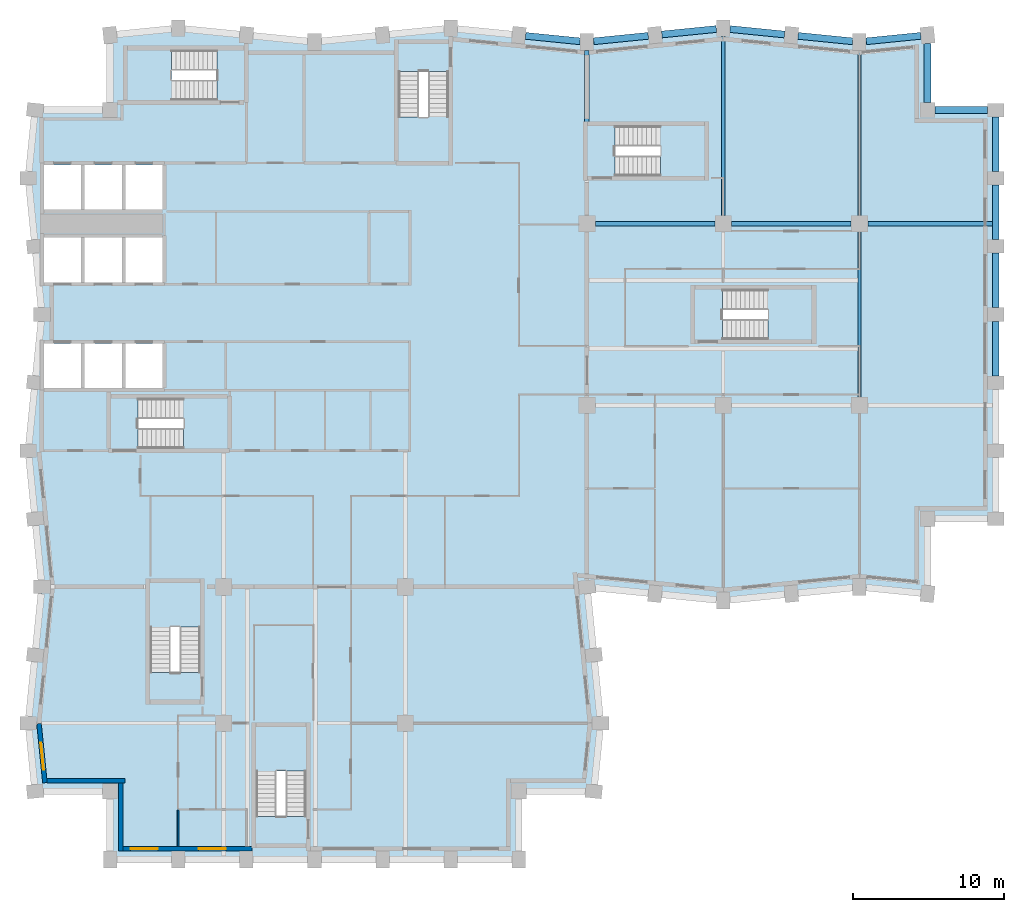
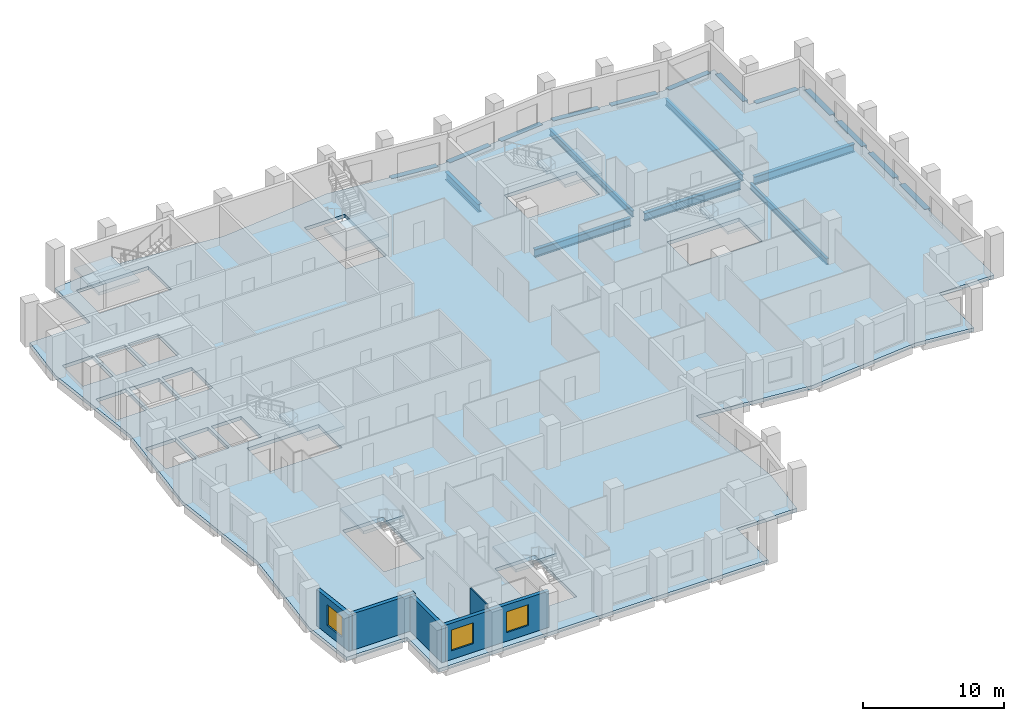
# One storey, part 2 of 10: 19 beams, 8 slabs, 5 walls, 3 windows, 3 openings, 7 elements without a shape of their own.
"""IFC4 building model written with IfcOpenShell, lengths in metres."""

import ifcopenshell
import ifcopenshell.guid

model = None  # the IFC model being written
_history = None  # IfcOwnerHistory: only IFC2X3 demands one
_inside = {}  # id of a spatial element -> (the spatial element, [elements in it])
_under = {}  # id of a project, library or spatial element -> (it, [spatial elements below it])
_declared = {}  # id of a project -> (the project, [libraries it declares])
_typed = {}  # id of a type object -> (the type object, [elements of that type])
_made_of = {}  # id of a material, layer set ... -> (it, [elements and type objects made of it])


def new_model(schema):
    """Start an empty IFC model of exactly this schema.

    Asked for "IFC4X3", IfcOpenShell would pick the latest addendum, in which some entities
    have other attributes; the version numbers below select the first issue.
    IFC2X3 requires an IfcOwnerHistory on every rooted entity: one is made here for all.
    """
    global model, _history
    if schema == "IFC4X3":
        model = ifcopenshell.file(schema_version=(4, 3, 0, 0))
    else:
        model = ifcopenshell.file(schema=schema)
    _inside.clear()
    _under.clear()
    _declared.clear()
    _typed.clear()
    _made_of.clear()
    _history = None
    if model.schema == "IFC2X3":
        org = make("IfcOrganization", Name="unknown")
        user = make(
            "IfcPersonAndOrganization",
            ThePerson=make("IfcPerson", FamilyName="unknown"),
            TheOrganization=org,
        )
        app = make(
            "IfcApplication",
            ApplicationDeveloper=org,
            Version="unknown",
            ApplicationFullName="unknown",
            ApplicationIdentifier="unknown",
        )
        _history = make(
            "IfcOwnerHistory",
            OwningUser=user,
            OwningApplication=app,
            ChangeAction="ADDED",
            CreationDate=0,
        )
    return model


def make(cls, **values):
    """One entity of the class cls with the attributes given. An attribute that is None is left unset."""
    return model.create_entity(
        cls, **{name: value for name, value in values.items() if value is not None}
    )


def rooted(cls, **values):
    """An entity with a GlobalId (a new one), such as an element, a storey or a relation."""
    return make(cls, GlobalId=ifcopenshell.guid.new(), OwnerHistory=_history, **values)


def si_unit(unit_type, name, prefix=None):
    """IfcSIUnit, for example si_unit("LENGTHUNIT", "METRE", prefix="MILLI")."""
    return make("IfcSIUnit", UnitType=unit_type, Prefix=prefix, Name=name)


def assignment(units):
    """IfcUnitAssignment: the units of a project."""
    return None if units is None else make("IfcUnitAssignment", Units=units)


def point(xyz):
    """IfcCartesianPoint."""
    return None if xyz is None else make("IfcCartesianPoint", Coordinates=xyz)


def direction(xyz):
    """IfcDirection."""
    return None if xyz is None else make("IfcDirection", DirectionRatios=xyz)


def frame(location, z_axis=None, x_axis=None):
    """IfcAxis2Placement3D, a coordinate frame: its origin and axes. An axis left out is left unset."""
    return make(
        "IfcAxis2Placement3D",
        Location=point(location),
        Axis=direction(z_axis),
        RefDirection=direction(x_axis),
    )


def frame_2d(location, x_axis=None):
    """IfcAxis2Placement2D, a coordinate frame in the plane: its origin and x axis."""
    return make(
        "IfcAxis2Placement2D", Location=point(location), RefDirection=direction(x_axis)
    )


def origin():
    """The frame at (0, 0, 0) with its axes left unset."""
    return frame((0.0, 0.0, 0.0))


def origin_2d():
    """The frame at (0, 0) in the plane with its x axis left unset."""
    return frame_2d((0.0, 0.0))


def place(relative_to, where):
    """IfcLocalPlacement: puts the frame where relative to a parent placement (None: the world)."""
    return make(
        "IfcLocalPlacement", PlacementRelTo=relative_to, RelativePlacement=where
    )


def context(
    kind, dimensions, precision=None, world=None, true_north=None, identifier=None
):
    """IfcGeometricRepresentationContext, for example the 3D "Model" context."""
    return make(
        "IfcGeometricRepresentationContext",
        ContextIdentifier=identifier,
        ContextType=kind,
        CoordinateSpaceDimension=dimensions,
        Precision=precision,
        WorldCoordinateSystem=world,
        TrueNorth=true_north,
    )


def subcontext(parent, identifier, kind, view, scale=None):
    """IfcGeometricRepresentationSubContext, for example "Body" below "Model"."""
    return make(
        "IfcGeometricRepresentationSubContext",
        ContextIdentifier=identifier,
        ContextType=kind,
        ParentContext=parent,
        TargetScale=scale,
        TargetView=view,
    )


def project(units=None, contexts=None):
    """IfcProject with its units and contexts."""
    return rooted(
        "IfcProject",
        Name="project",
        RepresentationContexts=contexts,
        UnitsInContext=assignment(units),
    )


def spatial(cls, under=None, at=None, **own):
    """A site, building, storey or space (cls), placed at a placement, below another one or the project."""
    s = rooted(cls, ObjectPlacement=at, **own)
    if under is not None:
        _under.setdefault(under.id(), (under, []))[1].append(s)
    return s


def polyline(points):
    """IfcPolyline through the points."""
    return make("IfcPolyline", Points=[point(p) for p in points])


def profile(cls, at=None, kind="AREA", **sizes):
    """A parametric profile (cls). Its sizes go by their IFC names, for example OverallWidth=200.0."""
    return make(cls, ProfileType=kind, Position=at, **sizes)


def rectangle(**sizes):
    """IfcRectangleProfileDef."""
    return profile("IfcRectangleProfileDef", **sizes)


def i_section(**sizes):
    """IfcIShapeProfileDef."""
    return profile("IfcIShapeProfileDef", **sizes)


def outline(outer, holes=None, kind="AREA"):
    """IfcArbitraryClosedProfileDef: a profile drawn as a closed curve; with holes, ...WithVoids."""
    if holes is None:
        return make("IfcArbitraryClosedProfileDef", ProfileType=kind, OuterCurve=outer)
    return make(
        "IfcArbitraryProfileDefWithVoids",
        ProfileType=kind,
        OuterCurve=outer,
        InnerCurves=holes,
    )


def extrude(swept, where, along, depth):
    """IfcExtrudedAreaSolid: the profile swept, set in the frame where, extruded along a direction by depth."""
    return make(
        "IfcExtrudedAreaSolid",
        SweptArea=swept,
        Position=where,
        ExtrudedDirection=direction(along),
        Depth=depth,
    )


def shape(context_of_items, identifier, shape_type, items):
    """IfcShapeRepresentation: the items that make up one representation, for example the "Body"."""
    return make(
        "IfcShapeRepresentation",
        ContextOfItems=context_of_items,
        RepresentationIdentifier=identifier,
        RepresentationType=shape_type,
        Items=items,
    )


def material(Name=None, Category=None):
    """IfcMaterial."""
    return make("IfcMaterial", Name=Name, Category=Category)


def layer(
    of_material, thickness, ventilated=None, Name=None, Category=None, Priority=None
):
    """IfcMaterialLayer: one layer of a wall or slab, of a material (None: an air gap)."""
    return make(
        "IfcMaterialLayer",
        Material=of_material,
        LayerThickness=thickness,
        IsVentilated=ventilated,
        Name=Name,
        Category=Category,
        Priority=Priority,
    )


def layer_set(layers, Name=None):
    """IfcMaterialLayerSet."""
    return make("IfcMaterialLayerSet", MaterialLayers=layers, LayerSetName=Name)


def material_profile(
    of_material, cross_section, Name=None, Category=None, Priority=None
):
    """IfcMaterialProfile: a cross section and its material."""
    return make(
        "IfcMaterialProfile",
        Name=Name,
        Material=of_material,
        Profile=cross_section,
        Priority=Priority,
        Category=Category,
    )


def profile_set(profiles, Name=None, composite=None):
    """IfcMaterialProfileSet."""
    return make(
        "IfcMaterialProfileSet",
        Name=Name,
        MaterialProfiles=profiles,
        CompositeProfile=composite,
    )


def made_of(thing, what):
    """Note that an element or type object is made of a material, layer set ...; save() writes the relation."""
    if what is not None:
        _made_of.setdefault(what.id(), (what, []))[1].append(thing)
    return thing


def type_object(cls, material=None, **own):
    """A type object (cls), such as IfcWallType, which elements share."""
    return made_of(rooted(cls, **own), material)


def element(
    cls,
    number,
    at=None,
    inside=None,
    cuts=None,
    type_object=None,
    material=None,
    context=None,
    identifier="Body",
    shape_type=None,
    held_by="IfcProductDefinitionShape",
    body=None,
    shapes=None,
    **own,
):
    """One element of the class cls, such as IfcWall. Its Tag is "e" and its number.

    at: its placement. inside: the storey or other place that contains it. cuts: it is an
    opening in that element (IfcRelVoidsElement). A single representation is given by context,
    identifier, shape_type and body (its items); several are given by shapes. held_by: the class
    of the entity that holds the representations. save() writes the other relations.
    """
    e = rooted(cls, Tag="e%d" % number, ObjectPlacement=at, **own)
    if body is not None:
        shapes = [shape(context, identifier, shape_type, body)]
    if shapes is not None:
        e.Representation = make(held_by, Representations=shapes)
    if inside is not None:
        _inside.setdefault(inside.id(), (inside, []))[1].append(e)
    if cuts is not None:
        rooted(
            "IfcRelVoidsElement", RelatingBuildingElement=cuts, RelatedOpeningElement=e
        )
    if type_object is not None:
        _typed.setdefault(type_object.id(), (type_object, []))[1].append(e)
    return made_of(e, material)


def fill(opening, filler):
    """IfcRelFillsElement: the door or window that sits in an opening."""
    return rooted(
        "IfcRelFillsElement",
        RelatingOpeningElement=opening,
        RelatedBuildingElement=filler,
    )


def aggregate(whole, parts):
    """IfcRelAggregates: a whole, such as a stair, and the parts it consists of."""
    return rooted("IfcRelAggregates", RelatingObject=whole, RelatedObjects=parts)


def save(model, path):
    """Write the relations noted so far, then the file.

    IfcRelAggregates (storeys below a building ...), IfcRelContainedInSpatialStructure (elements
    in a storey), IfcRelDefinesByType, IfcRelAssociatesMaterial and IfcRelDeclares: one each for
    every whole, place, type object, material and project.
    """
    for whole, parts in _under.values():
        aggregate(whole, parts)
    for where, things in _inside.values():
        rooted(
            "IfcRelContainedInSpatialStructure",
            RelatedElements=things,
            RelatingStructure=where,
        )
    for kind, things in _typed.values():
        rooted("IfcRelDefinesByType", RelatedObjects=things, RelatingType=kind)
    for what, things in _made_of.values():
        rooted("IfcRelAssociatesMaterial", RelatedObjects=things, RelatingMaterial=what)
    for by, libraries in _declared.values():
        rooted("IfcRelDeclares", RelatingContext=by, RelatedDefinitions=libraries)
    model.write(path)


model = new_model("IFC4")

# Units and contexts
model_context = context("Model", 3, precision=1e-05, world=origin(), true_north=direction((0.0, 1.0)))
body_context = subcontext(model_context, "Body", "Model", "MODEL_VIEW")
ifc_project = project(units=[si_unit("LENGTHUNIT", "METRE"), si_unit("AREAUNIT", "SQUARE_METRE"), si_unit("VOLUMEUNIT", "CUBIC_METRE"), si_unit("PLANEANGLEUNIT", "RADIAN"), si_unit("MASSUNIT", "GRAM", prefix="KILO")], contexts=[model_context])

# Site, building, storey
site_placement = place(None, origin())
site = spatial("IfcSite", under=ifc_project, at=site_placement, CompositionType="ELEMENT")
building_placement = place(site_placement, origin())
building = spatial("IfcBuilding", under=site, at=building_placement, Name="Brondeck Convention Tower", CompositionType="ELEMENT")
storey_placement = place(building_placement, frame((0.0, 0.0, 166.199951171875)))
storey = spatial("IfcBuildingStorey", under=building, at=storey_placement, Name="L40", CompositionType="ELEMENT", Elevation=166.199951171875)

# Beams
ifc_material_1 = material(Name="Steel S355", Category="steel")
ifc_material_profile_1 = material_profile(ifc_material_1, i_section(OverallWidth=0.2099609375, OverallDepth=0.550048828125, WebThickness=0.010986328125, FlangeThickness=0.01708984375, FilletRadius=0.02392578125, at=origin_2d()), Name="IPE 550")
ifc_profile_set_1 = profile_set([ifc_material_profile_1], Name="Steel S355")
beam_type_1 = type_object("IfcBeamType", Name="Floor beam IPE 550", PredefinedType="BEAM", material=ifc_profile_set_1)
beam_1_placement = place(storey_placement, frame((45.0, 51.550048828125, -0.574951171875), z_axis=(0.0, 1.0, 0.0), x_axis=(-1.0, 0.0, 0.0)))
element("IfcBeam", 1, at=beam_1_placement, inside=storey, type_object=beam_type_1, Name="STR-FB-L40-002", PredefinedType="BEAM", context=body_context, shape_type="SweptSolid", body=[
    extrude(i_section(OverallWidth=0.2099609375, OverallDepth=0.550048828125, WebThickness=0.010986328125, FlangeThickness=0.01708984375, FilletRadius=0.02392578125, at=origin_2d()), origin(), (0.0, 0.0, 1.0), 11.800048828125),
])
for number, where, z_axis, x_axis, name in (
    (2, (54.0, 39.550048828125, -0.574951171875), (0.0, 1.0, 0.0), (-1.0, 0.0, 0.0), "STR-FB-L40-004"),
    (3, (54.0, 51.550048828125, -0.574951171875), (0.0, 1.0, 0.0), (-1.0, 0.0, 0.0), "STR-FB-L40-005"),
):
    element("IfcBeam", number, at=place(storey_placement, frame(where, z_axis=z_axis, x_axis=x_axis)), inside=storey, type_object=beam_type_1, Name=name, PredefinedType="BEAM", context=body_context, shape_type="SweptSolid", body=[
        extrude(i_section(OverallWidth=0.2099609375, OverallDepth=0.550048828125, WebThickness=0.010986328125, FlangeThickness=0.01708984375, FilletRadius=0.02392578125, at=origin_2d()), origin(), (0.0, 0.0, 1.0), 10.89990234375),
    ])
ifc_material_profile_2 = material_profile(ifc_material_1, i_section(OverallWidth=0.300048828125, OverallDepth=0.699951171875, WebThickness=0.01708984375, FlangeThickness=0.031982421875, FilletRadius=0.027099609375, at=origin_2d()), Name="HEB 700")
ifc_profile_set_2 = profile_set([ifc_material_profile_2], Name="Steel S355")
beam_type_2 = type_object("IfcBeamType", Name="Girder HEB 700", PredefinedType="BEAM", material=ifc_profile_set_2)
for number, where, z_axis, x_axis, name in (
    (4, (36.550048828125, 51.0, -0.64990234375), (1.0, 0.0, 0.0), (0.0, 1.0, 0.0), "STR-GR-L40-004"),
    (5, (45.550048828125, 51.0, -0.64990234375), (1.0, 0.0, 0.0), (0.0, 1.0, 0.0), "STR-GR-L40-005"),
):
    element("IfcBeam", number, at=place(storey_placement, frame(where, z_axis=z_axis, x_axis=x_axis)), inside=storey, type_object=beam_type_2, Name=name, PredefinedType="BEAM", context=body_context, shape_type="SweptSolid", body=[
        extrude(i_section(OverallWidth=0.300048828125, OverallDepth=0.699951171875, WebThickness=0.01708984375, FlangeThickness=0.031982421875, FilletRadius=0.027099609375, at=origin_2d()), origin(), (0.0, 0.0, 1.0), 7.89990234375),
    ])
beam_2_placement = place(storey_placement, frame((54.550048828125, 51.0, -0.64990234375), z_axis=(1.0, 0.0, 0.0), x_axis=(0.0, 1.0, 0.0)))
element("IfcBeam", 6, at=beam_2_placement, inside=storey, type_object=beam_type_2, Name="STR-GR-L40-006", PredefinedType="BEAM", context=body_context, shape_type="SweptSolid", body=[
    extrude(i_section(OverallWidth=0.300048828125, OverallDepth=0.699951171875, WebThickness=0.01708984375, FlangeThickness=0.031982421875, FilletRadius=0.027099609375, at=origin_2d()), origin(), (0.0, 0.0, 1.0), 8.224853515625),
])
beam_3_placement = place(storey_placement, frame((36.0, 57.719970703125, -0.64990234375), z_axis=(0.0, 1.0, 0.0), x_axis=(-1.0, 0.0, 0.0)))
element("IfcBeam", 7, at=beam_3_placement, inside=storey, type_object=beam_type_2, Name="STR-GR-L40-010", PredefinedType="BEAM", context=body_context, shape_type="SweptSolid", body=[
    extrude(i_section(OverallWidth=0.300048828125, OverallDepth=0.699951171875, WebThickness=0.01708984375, FlangeThickness=0.031982421875, FilletRadius=0.027099609375, at=origin_2d()), origin(), (0.0, 0.0, 1.0), 4.72998046875),
])
ifc_material_2 = material(Name="Concrete C70/85", Category="concrete")
ifc_material_profile_3 = material_profile(ifc_material_2, rectangle(XDim=0.449951171875, YDim=0.64990234375, at=origin_2d()), Name="Precast spandrel 450x650 Concrete C70/85")
ifc_profile_set_3 = profile_set([ifc_material_profile_3], Name="Concrete C70/85")
beam_type_3 = type_object("IfcBeamType", Name="Precast spandrel 450x650 Concrete C70/85", PredefinedType="SPANDREL", material=ifc_profile_set_3)
for number, where, z_axis, x_axis, name in (
    (8, (63.0, 40.949951171875, -0.324951171875), (0.0, 1.0, 0.0), (-1.0, 0.0, 0.0), "STR-SP-L40-021"),
    (9, (63.0, 45.449951171875, -0.324951171875), (0.0, 1.0, 0.0), (-1.0, 0.0, 0.0), "STR-SP-L40-022"),
    (10, (63.0, 49.949951171875, -0.324951171875), (0.0, 1.0, 0.0), (-1.0, 0.0, 0.0), "STR-SP-L40-023"),
    (11, (63.0, 54.449951171875, -0.324951171875), (0.0, 1.0, 0.0), (-1.0, 0.0, 0.0), "STR-SP-L40-024"),
):
    element("IfcBeam", number, at=place(storey_placement, frame(where, z_axis=z_axis, x_axis=x_axis)), inside=storey, type_object=beam_type_3, Name=name, PredefinedType="SPANDREL", context=body_context, shape_type="SweptSolid", body=[
        extrude(rectangle(XDim=0.449951171875, YDim=0.64990234375, at=origin_2d()), origin(), (0.0, 0.0, 1.0), 3.60009765625),
    ])
beam_4_placement = place(storey_placement, frame((62.449951171875, 58.5, -0.324951171875), z_axis=(-1.0, 0.0, 0.0), x_axis=(0.0, -1.0, 0.0)))
element("IfcBeam", 12, at=beam_4_placement, inside=storey, type_object=beam_type_3, Name="STR-SP-L40-025", PredefinedType="SPANDREL", context=body_context, shape_type="SweptSolid", body=[
    extrude(rectangle(XDim=0.449951171875, YDim=0.64990234375, at=origin_2d()), origin(), (0.0, 0.0, 1.0), 3.449951171875),
])
beam_5_placement = place(storey_placement, frame((58.5, 59.0, -0.324951171875), z_axis=(0.0, 1.0, 0.0), x_axis=(-1.0, 0.0, 0.0)))
element("IfcBeam", 13, at=beam_5_placement, inside=storey, type_object=beam_type_3, Name="STR-SP-L40-026", PredefinedType="SPANDREL", context=body_context, shape_type="SweptSolid", body=[
    extrude(rectangle(XDim=0.449951171875, YDim=0.64990234375, at=origin_2d()), origin(), (0.0, 0.0, 1.0), 3.897216796875),
])
for number, where, z_axis, x_axis, name in (
    (14, (58.05224609375, 63.4052734375, -0.324951171875), (-0.995033851182, -0.099537103649, 0.0), (0.099537103649, -0.995033851182, 0.0), "STR-SP-L40-027"),
    (15, (53.550048828125, 63.044921875, -0.324951171875), (-0.995033851182, 0.099537103649, 0.0), (-0.099537103649, -0.995033851182, 0.0), "STR-SP-L40-028"),
    (16, (49.05224609375, 63.494873046875, -0.324951171875), (-0.995040528141, 0.099470334057, 0.0), (-0.099470334057, -0.995040528141, 0.0), "STR-SP-L40-029"),
    (17, (44.550048828125, 63.85498046875, -0.324951171875), (-0.995040528141, -0.099470334057, 0.0), (0.099470334057, -0.995040528141, 0.0), "STR-SP-L40-030"),
    (18, (40.05224609375, 63.4052734375, -0.324951171875), (-0.995033851182, -0.099537103649, 0.0), (0.099537103649, -0.995033851182, 0.0), "STR-SP-L40-031"),
    (19, (35.550048828125, 63.044921875, -0.324951171875), (-0.995033851182, 0.099537103649, 0.0), (-0.099537103649, -0.995033851182, 0.0), "STR-SP-L40-032"),
):
    element("IfcBeam", number, at=place(storey_placement, frame(where, z_axis=z_axis, x_axis=x_axis)), inside=storey, type_object=beam_type_3, Name=name, PredefinedType="SPANDREL", context=body_context, shape_type="SweptSolid", body=[
        extrude(rectangle(XDim=0.449951171875, YDim=0.64990234375, at=origin_2d()), origin(), (0.0, 0.0, 1.0), 3.620361328125),
    ])

# Slab
ifc_material_3 = material(Name="Concrete C35/45", Category="concrete")
ifc_layer_1 = layer(ifc_material_3, 0.300048828125)
ifc_layer_set_1 = layer_set([ifc_layer_1], Name="Composite floor slab 300")
slab_type_1 = type_object("IfcSlabType", Name="Composite floor slab 300", PredefinedType="FLOOR", material=ifc_layer_set_1)
slab_1_placement = place(storey_placement, frame((0.0, 0.0, -0.300048828125)))
element("IfcSlab", 20, at=slab_1_placement, inside=storey, type_object=slab_type_1, Name="STR-SL-L40", PredefinedType="FLOOR", context=body_context, shape_type="SweptSolid", body=[
    extrude(outline(polyline([(4.5, 13.5), (-0.449951171875, 13.5), (-0.89990234375, 18.0), (0.0, 27.0), (-0.89990234375, 36.0), (0.0, 45.0), (-0.89990234375, 54.0), (-0.449951171875, 58.5), (4.5, 58.5), (4.5, 63.449951171875), (9.0, 63.89990234375), (18.0, 63.0), (27.0, 63.89990234375), (36.0, 63.0), (45.0, 63.89990234375), (54.0, 63.0), (58.5, 63.449951171875), (58.5, 58.5), (63.0, 58.5), (63.0, 31.5), (58.5, 31.5), (58.5, 26.550048828125), (54.0, 27.0), (45.0, 26.10009765625), (36.0, 27.0), (36.89990234375, 18.0), (36.449951171875, 13.5), (31.5, 13.5), (31.5, 9.0), (4.5, 9.0), (4.5, 13.5)]), holes=[polyline([(2.574951171875, 40.125), (2.574951171875, 43.074951171875), (0.125, 43.074951171875), (0.125, 40.125), (2.574951171875, 40.125)]), polyline([(5.27490234375, 40.125), (5.27490234375, 43.074951171875), (2.824951171875, 43.074951171875), (2.824951171875, 40.125), (5.27490234375, 40.125)]), polyline([(7.97509765625, 40.125), (7.97509765625, 43.074951171875), (5.52490234375, 43.074951171875), (5.52490234375, 40.125), (7.97509765625, 40.125)]), polyline([(2.574951171875, 47.125), (2.574951171875, 50.074951171875), (0.125, 50.074951171875), (0.125, 47.125), (2.574951171875, 47.125)]), polyline([(5.27490234375, 47.125), (5.27490234375, 50.074951171875), (2.824951171875, 50.074951171875), (2.824951171875, 47.125), (5.27490234375, 47.125)]), polyline([(7.97509765625, 47.125), (7.97509765625, 50.074951171875), (5.52490234375, 50.074951171875), (5.52490234375, 47.125), (7.97509765625, 47.125)]), polyline([(2.574951171875, 51.925048828125), (2.574951171875, 54.875), (0.125, 54.875), (0.125, 51.925048828125), (2.574951171875, 51.925048828125)]), polyline([(5.27490234375, 51.925048828125), (5.27490234375, 54.875), (2.824951171875, 54.875), (2.824951171875, 51.925048828125), (5.27490234375, 51.925048828125)]), polyline([(17.447998046875, 17.748046875), (14.152099609375, 17.748046875), (14.152099609375, 11.85205078125), (17.447998046875, 11.85205078125), (17.447998046875, 17.748046875)]), polyline([(10.447998046875, 27.248046875), (7.152099609375, 27.248046875), (7.152099609375, 21.35205078125), (10.447998046875, 21.35205078125), (10.447998046875, 27.248046875)]), polyline([(12.248046875, 36.152099609375), (12.248046875, 39.447998046875), (6.35205078125, 39.447998046875), (6.35205078125, 36.152099609375), (12.248046875, 36.152099609375)]), polyline([(50.847900390625, 43.35205078125), (50.847900390625, 46.64794921875), (44.951904296875, 46.64794921875), (44.951904296875, 43.35205078125), (50.847900390625, 43.35205078125)]), polyline([(7.97509765625, 51.925048828125), (7.97509765625, 54.875), (5.52490234375, 54.875), (5.52490234375, 51.925048828125), (7.97509765625, 51.925048828125)]), polyline([(43.748046875, 54.152099609375), (43.748046875, 57.447998046875), (37.85205078125, 57.447998046875), (37.85205078125, 54.152099609375), (43.748046875, 54.152099609375)]), polyline([(23.552001953125, 55.152099609375), (26.847900390625, 55.152099609375), (26.847900390625, 61.048095703125), (23.552001953125, 61.048095703125), (23.552001953125, 55.152099609375)]), polyline([(5.652099609375, 62.447998046875), (5.652099609375, 59.152099609375), (11.548095703125, 59.152099609375), (11.548095703125, 62.447998046875), (5.652099609375, 62.447998046875)])]), origin(), (0.0, 0.0, 1.0), 0.300048828125),
])

# Stair, slab
ifc_material_4 = material(Name="Precast concrete C50/60", Category="concrete")
stair_type = type_object("IfcStairType", Name="Core stair 22 risers 172.73 mm riser 300 mm going 1350 wide", PredefinedType="HALF_TURN_STAIR", material=ifc_material_4)
stair_1_placement = place(storey_placement, origin())
stair_1 = element("IfcStair", 21, at=stair_1_placement, inside=storey, type_object=stair_type, Name="ST-1 L40 stair", PredefinedType="HALF_TURN_STAIR")
ifc_layer_2 = layer(ifc_material_4, 0.25)
ifc_layer_set_2 = layer_set([ifc_layer_2], Name="Core stair landing 250 Precast concrete C50/60")
slab_type_2 = type_object("IfcSlabType", Name="Core stair landing 250 Precast concrete C50/60", PredefinedType="LANDING", material=ifc_layer_set_2)
slab_2_placement = place(storey_placement, frame((0.0, 0.0, 1.650146484375)))
slab_2 = element("IfcSlab", 22, at=slab_2_placement, type_object=slab_type_2, Name="ST-1 landing 1", PredefinedType="LANDING", context=body_context, shape_type="SweptSolid", body=[
    extrude(outline(polyline([(9.347900390625, 37.5), (9.35009765625, 37.5), (9.35009765625, 38.10009765625), (9.050048828125, 38.10009765625), (9.050048828125, 39.570068359375), (12.3701171875, 39.570068359375), (12.3701171875, 36.030029296875), (9.347900390625, 36.030029296875), (9.347900390625, 37.5)])), origin(), (0.0, 0.0, 1.0), 0.25),
])
aggregate(stair_1, [slab_2])

stair_2_placement = place(storey_placement, origin())
stair_2 = element("IfcStair", 23, at=stair_2_placement, inside=storey, type_object=stair_type, Name="ST-2 L40 stair", PredefinedType="HALF_TURN_STAIR")
slab_3_placement = place(storey_placement, frame((0.0, 0.0, 1.650146484375)))
slab_3 = element("IfcSlab", 24, at=slab_3_placement, type_object=slab_type_2, Name="ST-2 landing 1", PredefinedType="LANDING", context=body_context, shape_type="SweptSolid", body=[
    extrude(outline(polyline([(23.429931640625, 58.052001953125), (24.89990234375, 58.052001953125), (24.89990234375, 58.050048828125), (25.5, 58.050048828125), (25.5, 58.35009765625), (26.969970703125, 58.35009765625), (26.969970703125, 55.030029296875), (23.429931640625, 55.030029296875), (23.429931640625, 58.052001953125)])), origin(), (0.0, 0.0, 1.0), 0.25),
])
aggregate(stair_2, [slab_3])

stair_3_placement = place(storey_placement, origin())
stair_3 = element("IfcStair", 25, at=stair_3_placement, inside=storey, type_object=stair_type, Name="ST-3 L40 stair", PredefinedType="HALF_TURN_STAIR")
slab_4_placement = place(storey_placement, frame((0.0, 0.0, 1.650146484375)))
slab_4 = element("IfcSlab", 26, at=slab_4_placement, type_object=slab_type_2, Name="ST-3 landing 1", PredefinedType="LANDING", context=body_context, shape_type="SweptSolid", body=[
    extrude(outline(polyline([(8.85009765625, 60.5), (8.85009765625, 59.030029296875), (5.530029296875, 59.030029296875), (5.530029296875, 62.570068359375), (8.552001953125, 62.570068359375), (8.552001953125, 61.10009765625), (8.550048828125, 61.10009765625), (8.550048828125, 60.5), (8.85009765625, 60.5)])), origin(), (0.0, 0.0, 1.0), 0.25),
])
aggregate(stair_3, [slab_4])

stair_4_placement = place(storey_placement, origin())
stair_4 = element("IfcStair", 27, at=stair_4_placement, inside=storey, type_object=stair_type, Name="ST-AE L40 stair", PredefinedType="HALF_TURN_STAIR")
slab_5_placement = place(storey_placement, frame((0.0, 0.0, 1.650146484375)))
slab_5 = element("IfcSlab", 28, at=slab_5_placement, type_object=slab_type_2, Name="ST-AE landing 1", PredefinedType="LANDING", context=body_context, shape_type="SweptSolid", body=[
    extrude(outline(polyline([(40.847900390625, 55.5), (40.85009765625, 55.5), (40.85009765625, 56.10009765625), (40.550048828125, 56.10009765625), (40.550048828125, 57.570068359375), (43.8701171875, 57.570068359375), (43.8701171875, 54.030029296875), (40.847900390625, 54.030029296875), (40.847900390625, 55.5)])), origin(), (0.0, 0.0, 1.0), 0.25),
])
aggregate(stair_4, [slab_5])

stair_5_placement = place(storey_placement, origin())
stair_5 = element("IfcStair", 29, at=stair_5_placement, inside=storey, type_object=stair_type, Name="ST-BE L40 stair", PredefinedType="HALF_TURN_STAIR")
slab_6_placement = place(storey_placement, frame((0.0, 0.0, 1.650146484375)))
slab_6 = element("IfcSlab", 30, at=slab_6_placement, type_object=slab_type_2, Name="ST-BE landing 1", PredefinedType="LANDING", context=body_context, shape_type="SweptSolid", body=[
    extrude(outline(polyline([(7.030029296875, 24.050048828125), (7.030029296875, 27.3701171875), (10.570068359375, 27.3701171875), (10.570068359375, 24.347900390625), (9.10009765625, 24.347900390625), (9.10009765625, 24.35009765625), (8.5, 24.35009765625), (8.5, 24.050048828125), (7.030029296875, 24.050048828125)])), origin(), (0.0, 0.0, 1.0), 0.25),
])
aggregate(stair_5, [slab_6])

stair_6_placement = place(storey_placement, origin())
stair_6 = element("IfcStair", 31, at=stair_6_placement, inside=storey, type_object=stair_type, Name="ST-AF L40 stair", PredefinedType="HALF_TURN_STAIR")
slab_7_placement = place(storey_placement, frame((0.0, 0.0, 1.650146484375)))
slab_7 = element("IfcSlab", 32, at=slab_7_placement, type_object=slab_type_2, Name="ST-AF landing 1", PredefinedType="LANDING", context=body_context, shape_type="SweptSolid", body=[
    extrude(outline(polyline([(47.947998046875, 44.699951171875), (47.949951171875, 44.699951171875), (47.949951171875, 45.300048828125), (47.64990234375, 45.300048828125), (47.64990234375, 46.77001953125), (50.969970703125, 46.77001953125), (50.969970703125, 43.22998046875), (47.947998046875, 43.22998046875), (47.947998046875, 44.699951171875)])), origin(), (0.0, 0.0, 1.0), 0.25),
])
aggregate(stair_6, [slab_7])

stair_7_placement = place(storey_placement, origin())
stair_7 = element("IfcStair", 33, at=stair_7_placement, inside=storey, type_object=stair_type, Name="ST-BF L40 stair", PredefinedType="HALF_TURN_STAIR")
slab_8_placement = place(storey_placement, frame((0.0, 0.0, 1.650146484375)))
slab_8 = element("IfcSlab", 34, at=slab_8_placement, type_object=slab_type_2, Name="ST-BF landing 1", PredefinedType="LANDING", context=body_context, shape_type="SweptSolid", body=[
    extrude(outline(polyline([(14.030029296875, 14.550048828125), (14.030029296875, 17.8701171875), (17.570068359375, 17.8701171875), (17.570068359375, 14.847900390625), (16.10009765625, 14.847900390625), (16.10009765625, 14.85009765625), (15.5, 14.85009765625), (15.5, 14.550048828125), (14.030029296875, 14.550048828125)])), origin(), (0.0, 0.0, 1.0), 0.25),
])
aggregate(stair_7, [slab_8])

# Wall, openings, windows
ifc_material_5 = material(Name="Precast concrete C50/60 bronze finish", Category="concrete")
ifc_layer_3 = layer(ifc_material_5, 0.070068359375, Name="Bronze precast facing")
ifc_material_6 = material(Name="Mineral wool")
ifc_layer_4 = layer(ifc_material_6, 0.159912109375, Name="Insulation")
ifc_layer_5 = layer(ifc_material_3, 0.070068359375, Name="Backing")
ifc_layer_set_3 = layer_set([ifc_layer_3, ifc_layer_4, ifc_layer_5], Name="External infill wall, precast concrete C50/60 bronze facing")
wall_type_1 = type_object("IfcWallType", Name="External infill wall, precast concrete C50/60 bronze facing", PredefinedType="SOLIDWALL", material=ifc_layer_set_3)
wall_1_placement = place(storey_placement, frame((13.860107421875, 9.699951171875, 0.0), z_axis=(0.0, 0.0, 1.0), x_axis=(-1.0, 0.0, 0.0)))
wall_1 = element("IfcWall", 35, at=wall_1_placement, inside=storey, type_object=wall_type_1, Name="ENV-EW-L40-P1-B-S9-01", PredefinedType="SOLIDWALL", context=body_context, shape_type="SweptSolid", body=[
    extrude(rectangle(XDim=8.510009765625, YDim=0.300048828125, at=frame_2d((4.2548828125, 0.0))), origin(), (0.0, 0.0, 1.0), 3.150146484375),
])
opening_1_placement = place(wall_1_placement, frame((1.7099609375, 0.0, 0.75)))
opening_1 = element("IfcOpeningElement", 36, at=opening_1_placement, cuts=wall_1, Name="Opening W10", PredefinedType="OPENING", context=body_context, shape_type="SweptSolid", body=[
    extrude(rectangle(XDim=1.800048828125, YDim=1.800048828125, at=frame_2d((0.89990234375, 0.89990234375))), frame((0.0, 0.159912109375, 0.0), z_axis=(0.0, -1.0, 0.0), x_axis=(1.0, 0.0, 0.0)), (0.0, 0.0, 1.0), 0.320068359375),
])
opening_2_placement = place(wall_1_placement, frame((6.2099609375, 0.0, 0.75)))
opening_2 = element("IfcOpeningElement", 37, at=opening_2_placement, cuts=wall_1, Name="Opening W10", PredefinedType="OPENING", context=body_context, shape_type="SweptSolid", body=[
    extrude(rectangle(XDim=1.800048828125, YDim=1.800048828125, at=frame_2d((0.89990234375, 0.89990234375))), frame((0.0, 0.159912109375, 0.0), z_axis=(0.0, -1.0, 0.0), x_axis=(1.0, 0.0, 0.0)), (0.0, 0.0, 1.0), 0.320068359375),
])
ifc_material_7 = material(Name="Bronze tinted double glazing", Category="glass")
window_type = type_object("IfcWindowType", Name="Punched window, bronze tinted", PartitioningType="SINGLE_PANEL", PredefinedType="WINDOW", material=ifc_material_7)
window_1_placement = place(opening_1_placement, origin())
window_1 = element("IfcWindow", 38, at=window_1_placement, inside=storey, type_object=window_type, Name="ENV-WN-L40-P1-B-S9-02", OverallHeight=1.800048828125, OverallWidth=1.800048828125, PartitioningType="SINGLE_PANEL", PredefinedType="WINDOW", context=body_context, shape_type="SweptSolid", body=[
    extrude(rectangle(XDim=1.800048828125, YDim=1.800048828125, at=frame_2d((0.89990234375, 0.89990234375))), frame((0.0, 0.030029296875, 0.0), z_axis=(0.0, -1.0, 0.0), x_axis=(1.0, 0.0, 0.0)), (0.0, 0.0, 1.0), 0.06005859375),
])
fill(opening_1, window_1)
window_2_placement = place(opening_2_placement, origin())
window_2 = element("IfcWindow", 39, at=window_2_placement, inside=storey, type_object=window_type, Name="ENV-WN-L40-P1-B-S9-01", OverallHeight=1.800048828125, OverallWidth=1.800048828125, PartitioningType="SINGLE_PANEL", PredefinedType="WINDOW", context=body_context, shape_type="SweptSolid", body=[
    extrude(rectangle(XDim=1.800048828125, YDim=1.800048828125, at=frame_2d((0.89990234375, 0.89990234375))), frame((0.0, 0.030029296875, 0.0), z_axis=(0.0, -1.0, 0.0), x_axis=(1.0, 0.0, 0.0)), (0.0, 0.0, 1.0), 0.06005859375),
])
fill(opening_2, window_2)

# Wall, opening, window
wall_2_placement = place(storey_placement, frame((0.197021484375, 14.06494140625, 0.0), z_axis=(0.0, 0.0, 1.0), x_axis=(-0.099528354722, 0.995034726332, 0.0)))
wall_2 = element("IfcWall", 40, at=wall_2_placement, inside=storey, type_object=wall_type_1, Name="ENV-EW-L40-P1-B-W-10", PredefinedType="SOLIDWALL", context=body_context, shape_type="SweptSolid", body=[
    extrude(rectangle(XDim=3.9248046875, YDim=0.300048828125, at=frame_2d((1.96240234375, 0.0))), origin(), (0.0, 0.0, 1.0), 3.150146484375),
])
opening_3_placement = place(wall_2_placement, frame((0.863525390625, 0.0, 0.75)))
opening_3 = element("IfcOpeningElement", 41, at=opening_3_placement, cuts=wall_2, Name="Opening W10", PredefinedType="OPENING", context=body_context, shape_type="SweptSolid", body=[
    extrude(rectangle(XDim=1.800048828125, YDim=1.800048828125, at=frame_2d((0.89990234375, 0.89990234375))), frame((0.0, 0.159912109375, 0.0), z_axis=(0.0, -1.0, 0.0), x_axis=(1.0, 0.0, 0.0)), (0.0, 0.0, 1.0), 0.320068359375),
])
window_3_placement = place(opening_3_placement, origin())
window_3 = element("IfcWindow", 42, at=window_3_placement, inside=storey, type_object=window_type, Name="ENV-WN-L40-P1-B-W-10", OverallHeight=1.800048828125, OverallWidth=1.800048828125, PartitioningType="SINGLE_PANEL", PredefinedType="WINDOW", context=body_context, shape_type="SweptSolid", body=[
    extrude(rectangle(XDim=1.800048828125, YDim=1.800048828125, at=frame_2d((0.89990234375, 0.89990234375))), frame((0.0, 0.030029296875, 0.0), z_axis=(0.0, -1.0, 0.0), x_axis=(1.0, 0.0, 0.0)), (0.0, 0.0, 1.0), 0.06005859375),
])
fill(opening_3, window_3)

# Walls
wall_3_placement = place(storey_placement, frame((5.5, 14.199951171875, 0.0), z_axis=(0.0, 0.0, 1.0), x_axis=(-1.0, 0.0, 0.0)))
element("IfcWall", 43, at=wall_3_placement, inside=storey, type_object=wall_type_1, Name="ENV-EW-L40-P1-NC-SWB9-01", PredefinedType="SOLIDWALL", context=body_context, shape_type="SweptSolid", body=[
    extrude(rectangle(XDim=5.16455078125, YDim=0.300048828125, at=frame_2d((2.582275390625, 0.0))), origin(), (0.0, 0.0, 1.0), 3.150146484375),
])
wall_4_placement = place(storey_placement, frame((5.199951171875, 9.550048828125, 0.0), z_axis=(0.0, 0.0, 1.0), x_axis=(0.0, 1.0, 0.0)))
element("IfcWall", 44, at=wall_4_placement, inside=storey, type_object=wall_type_1, Name="ENV-EW-L40-P1-NC-SWB9-02", PredefinedType="SOLIDWALL", context=body_context, shape_type="SweptSolid", body=[
    extrude(rectangle(XDim=4.501953125, YDim=0.300048828125, at=frame_2d((2.2509765625, 0.0))), origin(), (0.0, 0.0, 1.0), 3.150146484375),
])
ifc_material_8 = material(Name="Gypsum board partition on steel studs", Category="steel")
ifc_layer_6 = layer(ifc_material_8, 0.10009765625)
ifc_layer_set_4 = layer_set([ifc_layer_6], Name="Room partition 100")
wall_type_2 = type_object("IfcWallType", Name="Room partition 100", PredefinedType="PARTITIONING", material=ifc_layer_set_4)
wall_5_placement = place(storey_placement, frame((9.0, 9.8701171875, 0.0), z_axis=(0.0, 0.0, 1.0), x_axis=(0.0, 1.0, 0.0)))
element("IfcWall", 45, at=wall_5_placement, inside=storey, type_object=wall_type_2, Name="FLR-L40-W001", PredefinedType="PARTITIONING", context=body_context, shape_type="SweptSolid", body=[
    extrude(rectangle(XDim=2.3798828125, YDim=0.10009765625, at=frame_2d((1.18994140625, 0.0))), origin(), (0.0, 0.0, 1.0), 3.47998046875),
])

save(model, "model.ifc")
